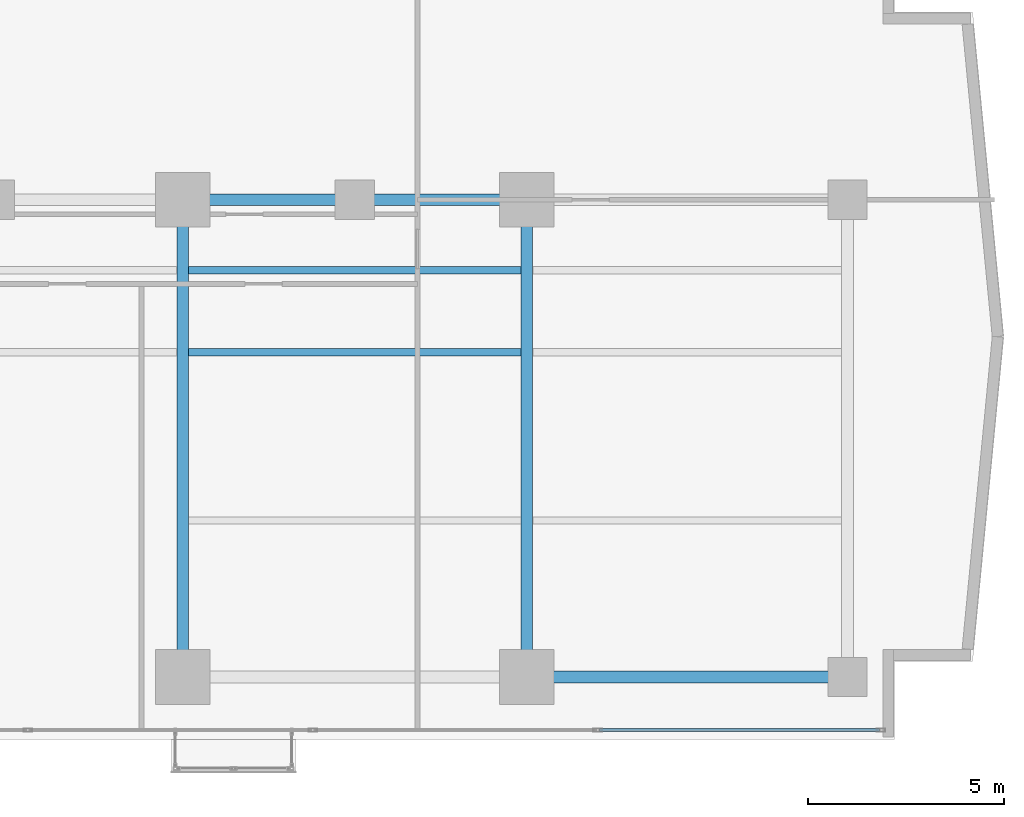
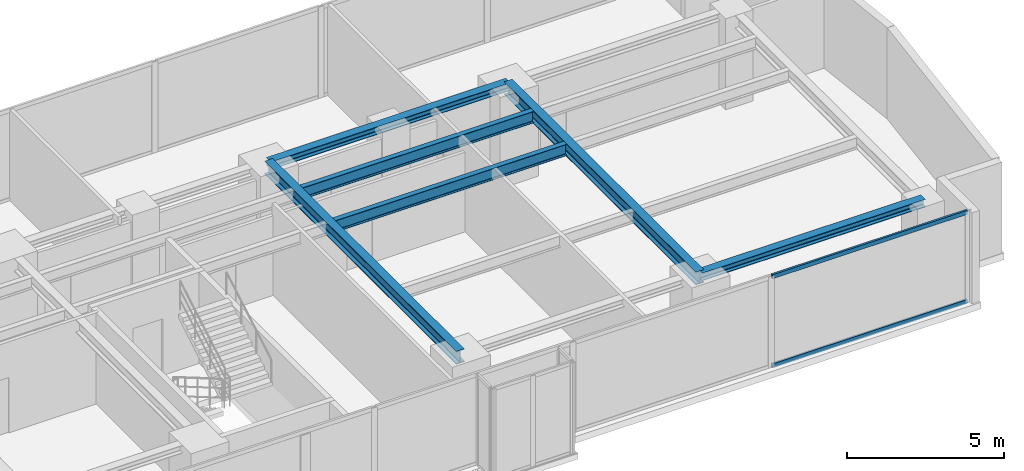
# One storey, part 12 of 28: 6 beams, 2 members, 1 element without a shape of its own.
"""IFC4 building model written with IfcOpenShell, lengths in metres."""

import ifcopenshell
import ifcopenshell.guid

model = None  # the IFC model being written
_history = None  # IfcOwnerHistory: only IFC2X3 demands one
_inside = {}  # id of a spatial element -> (the spatial element, [elements in it])
_under = {}  # id of a project, library or spatial element -> (it, [spatial elements below it])
_declared = {}  # id of a project -> (the project, [libraries it declares])
_typed = {}  # id of a type object -> (the type object, [elements of that type])
_made_of = {}  # id of a material, layer set ... -> (it, [elements and type objects made of it])


def new_model(schema):
    """Start an empty IFC model of exactly this schema.

    Asked for "IFC4X3", IfcOpenShell would pick the latest addendum, in which some entities
    have other attributes; the version numbers below select the first issue.
    IFC2X3 requires an IfcOwnerHistory on every rooted entity: one is made here for all.
    """
    global model, _history
    if schema == "IFC4X3":
        model = ifcopenshell.file(schema_version=(4, 3, 0, 0))
    else:
        model = ifcopenshell.file(schema=schema)
    _inside.clear()
    _under.clear()
    _declared.clear()
    _typed.clear()
    _made_of.clear()
    _history = None
    if model.schema == "IFC2X3":
        org = make("IfcOrganization", Name="unknown")
        user = make(
            "IfcPersonAndOrganization",
            ThePerson=make("IfcPerson", FamilyName="unknown"),
            TheOrganization=org,
        )
        app = make(
            "IfcApplication",
            ApplicationDeveloper=org,
            Version="unknown",
            ApplicationFullName="unknown",
            ApplicationIdentifier="unknown",
        )
        _history = make(
            "IfcOwnerHistory",
            OwningUser=user,
            OwningApplication=app,
            ChangeAction="ADDED",
            CreationDate=0,
        )
    return model


def make(cls, **values):
    """One entity of the class cls with the attributes given. An attribute that is None is left unset."""
    return model.create_entity(
        cls, **{name: value for name, value in values.items() if value is not None}
    )


def rooted(cls, **values):
    """An entity with a GlobalId (a new one), such as an element, a storey or a relation."""
    return make(cls, GlobalId=ifcopenshell.guid.new(), OwnerHistory=_history, **values)


def si_unit(unit_type, name, prefix=None):
    """IfcSIUnit, for example si_unit("LENGTHUNIT", "METRE", prefix="MILLI")."""
    return make("IfcSIUnit", UnitType=unit_type, Prefix=prefix, Name=name)


def assignment(units):
    """IfcUnitAssignment: the units of a project."""
    return None if units is None else make("IfcUnitAssignment", Units=units)


def point(xyz):
    """IfcCartesianPoint."""
    return None if xyz is None else make("IfcCartesianPoint", Coordinates=xyz)


def direction(xyz):
    """IfcDirection."""
    return None if xyz is None else make("IfcDirection", DirectionRatios=xyz)


def frame(location, z_axis=None, x_axis=None):
    """IfcAxis2Placement3D, a coordinate frame: its origin and axes. An axis left out is left unset."""
    return make(
        "IfcAxis2Placement3D",
        Location=point(location),
        Axis=direction(z_axis),
        RefDirection=direction(x_axis),
    )


def frame_2d(location, x_axis=None):
    """IfcAxis2Placement2D, a coordinate frame in the plane: its origin and x axis."""
    return make(
        "IfcAxis2Placement2D", Location=point(location), RefDirection=direction(x_axis)
    )


def origin():
    """The frame at (0, 0, 0) with its axes left unset."""
    return frame((0.0, 0.0, 0.0))


def origin_with_axes():
    """The frame at (0, 0, 0) with the z axis (0, 0, 1) and the x axis (1, 0, 0) written out."""
    return frame((0.0, 0.0, 0.0), z_axis=(0.0, 0.0, 1.0), x_axis=(1.0, 0.0, 0.0))


def origin_2d():
    """The frame at (0, 0) in the plane with its x axis left unset."""
    return frame_2d((0.0, 0.0))


def place(relative_to, where):
    """IfcLocalPlacement: puts the frame where relative to a parent placement (None: the world)."""
    return make(
        "IfcLocalPlacement", PlacementRelTo=relative_to, RelativePlacement=where
    )


def context(
    kind, dimensions, precision=None, world=None, true_north=None, identifier=None
):
    """IfcGeometricRepresentationContext, for example the 3D "Model" context."""
    return make(
        "IfcGeometricRepresentationContext",
        ContextIdentifier=identifier,
        ContextType=kind,
        CoordinateSpaceDimension=dimensions,
        Precision=precision,
        WorldCoordinateSystem=world,
        TrueNorth=true_north,
    )


def subcontext(parent, identifier, kind, view, scale=None):
    """IfcGeometricRepresentationSubContext, for example "Body" below "Model"."""
    return make(
        "IfcGeometricRepresentationSubContext",
        ContextIdentifier=identifier,
        ContextType=kind,
        ParentContext=parent,
        TargetScale=scale,
        TargetView=view,
    )


def project(units=None, contexts=None):
    """IfcProject with its units and contexts."""
    return rooted(
        "IfcProject",
        Name="project",
        RepresentationContexts=contexts,
        UnitsInContext=assignment(units),
    )


def spatial(cls, under=None, at=None, **own):
    """A site, building, storey or space (cls), placed at a placement, below another one or the project."""
    s = rooted(cls, ObjectPlacement=at, **own)
    if under is not None:
        _under.setdefault(under.id(), (under, []))[1].append(s)
    return s


def profile(cls, at=None, kind="AREA", **sizes):
    """A parametric profile (cls). Its sizes go by their IFC names, for example OverallWidth=200.0."""
    return make(cls, ProfileType=kind, Position=at, **sizes)


def hollow_rectangle(**sizes):
    """IfcRectangleHollowProfileDef."""
    return profile("IfcRectangleHollowProfileDef", **sizes)


def i_section(**sizes):
    """IfcIShapeProfileDef."""
    return profile("IfcIShapeProfileDef", **sizes)


def extrude(swept, where, along, depth):
    """IfcExtrudedAreaSolid: the profile swept, set in the frame where, extruded along a direction by depth."""
    return make(
        "IfcExtrudedAreaSolid",
        SweptArea=swept,
        Position=where,
        ExtrudedDirection=direction(along),
        Depth=depth,
    )


def shape(context_of_items, identifier, shape_type, items):
    """IfcShapeRepresentation: the items that make up one representation, for example the "Body"."""
    return make(
        "IfcShapeRepresentation",
        ContextOfItems=context_of_items,
        RepresentationIdentifier=identifier,
        RepresentationType=shape_type,
        Items=items,
    )


def source(mapping_origin, context_of_items, identifier, shape_type, items):
    """IfcRepresentationMap: a shape defined once, which mapped items show again and again."""
    return make(
        "IfcRepresentationMap",
        MappingOrigin=mapping_origin,
        MappedRepresentation=shape(context_of_items, identifier, shape_type, items),
    )


def transform(
    local_origin,
    x_axis=None,
    y_axis=None,
    z_axis=None,
    scale=None,
    scale2=None,
    scale3=None,
    uniform=True,
):
    """IfcCartesianTransformationOperator3D, or its non-uniform kind. x_axis, y_axis, z_axis: its Axis1, 2, 3."""
    if uniform:
        return make(
            "IfcCartesianTransformationOperator3D",
            Axis1=direction(x_axis),
            Axis2=direction(y_axis),
            LocalOrigin=point(local_origin),
            Scale=scale,
            Axis3=direction(z_axis),
        )
    return make(
        "IfcCartesianTransformationOperator3DnonUniform",
        Axis1=direction(x_axis),
        Axis2=direction(y_axis),
        LocalOrigin=point(local_origin),
        Scale=scale,
        Axis3=direction(z_axis),
        Scale2=scale2,
        Scale3=scale3,
    )


def mapped(mapping_source, mapping_target):
    """IfcMappedItem: shows the shape of a source again, moved by a transform."""
    return make(
        "IfcMappedItem", MappingSource=mapping_source, MappingTarget=mapping_target
    )


def material(Name=None, Category=None):
    """IfcMaterial."""
    return make("IfcMaterial", Name=Name, Category=Category)


def layer(
    of_material, thickness, ventilated=None, Name=None, Category=None, Priority=None
):
    """IfcMaterialLayer: one layer of a wall or slab, of a material (None: an air gap)."""
    return make(
        "IfcMaterialLayer",
        Material=of_material,
        LayerThickness=thickness,
        IsVentilated=ventilated,
        Name=Name,
        Category=Category,
        Priority=Priority,
    )


def layer_set(layers, Name=None):
    """IfcMaterialLayerSet."""
    return make("IfcMaterialLayerSet", MaterialLayers=layers, LayerSetName=Name)


def material_profile(
    of_material, cross_section, Name=None, Category=None, Priority=None
):
    """IfcMaterialProfile: a cross section and its material."""
    return make(
        "IfcMaterialProfile",
        Name=Name,
        Material=of_material,
        Profile=cross_section,
        Priority=Priority,
        Category=Category,
    )


def profile_set(profiles, Name=None, composite=None):
    """IfcMaterialProfileSet."""
    return make(
        "IfcMaterialProfileSet",
        Name=Name,
        MaterialProfiles=profiles,
        CompositeProfile=composite,
    )


def made_of(thing, what):
    """Note that an element or type object is made of a material, layer set ...; save() writes the relation."""
    if what is not None:
        _made_of.setdefault(what.id(), (what, []))[1].append(thing)
    return thing


def type_object(cls, material=None, **own):
    """A type object (cls), such as IfcWallType, which elements share."""
    return made_of(rooted(cls, **own), material)


def element(
    cls,
    number,
    at=None,
    inside=None,
    cuts=None,
    type_object=None,
    material=None,
    context=None,
    identifier="Body",
    shape_type=None,
    held_by="IfcProductDefinitionShape",
    body=None,
    shapes=None,
    **own,
):
    """One element of the class cls, such as IfcWall. Its Tag is "e" and its number.

    at: its placement. inside: the storey or other place that contains it. cuts: it is an
    opening in that element (IfcRelVoidsElement). A single representation is given by context,
    identifier, shape_type and body (its items); several are given by shapes. held_by: the class
    of the entity that holds the representations. save() writes the other relations.
    """
    e = rooted(cls, Tag="e%d" % number, ObjectPlacement=at, **own)
    if body is not None:
        shapes = [shape(context, identifier, shape_type, body)]
    if shapes is not None:
        e.Representation = make(held_by, Representations=shapes)
    if inside is not None:
        _inside.setdefault(inside.id(), (inside, []))[1].append(e)
    if cuts is not None:
        rooted(
            "IfcRelVoidsElement", RelatingBuildingElement=cuts, RelatedOpeningElement=e
        )
    if type_object is not None:
        _typed.setdefault(type_object.id(), (type_object, []))[1].append(e)
    return made_of(e, material)


def aggregate(whole, parts):
    """IfcRelAggregates: a whole, such as a stair, and the parts it consists of."""
    return rooted("IfcRelAggregates", RelatingObject=whole, RelatedObjects=parts)


def save(model, path):
    """Write the relations noted so far, then the file.

    IfcRelAggregates (storeys below a building ...), IfcRelContainedInSpatialStructure (elements
    in a storey), IfcRelDefinesByType, IfcRelAssociatesMaterial and IfcRelDeclares: one each for
    every whole, place, type object, material and project.
    """
    for whole, parts in _under.values():
        aggregate(whole, parts)
    for where, things in _inside.values():
        rooted(
            "IfcRelContainedInSpatialStructure",
            RelatedElements=things,
            RelatingStructure=where,
        )
    for kind, things in _typed.values():
        rooted("IfcRelDefinesByType", RelatedObjects=things, RelatingType=kind)
    for what, things in _made_of.values():
        rooted("IfcRelAssociatesMaterial", RelatedObjects=things, RelatingMaterial=what)
    for by, libraries in _declared.values():
        rooted("IfcRelDeclares", RelatingContext=by, RelatedDefinitions=libraries)
    model.write(path)


model = new_model("IFC4")

# Units and contexts
model_context = context("Model", 3, precision=1e-05, world=origin(), true_north=direction((0.0, 1.0)))
body_context = subcontext(model_context, "Body", "Model", "MODEL_VIEW")
ifc_project = project(units=[si_unit("LENGTHUNIT", "METRE"), si_unit("AREAUNIT", "SQUARE_METRE"), si_unit("VOLUMEUNIT", "CUBIC_METRE"), si_unit("PLANEANGLEUNIT", "RADIAN"), si_unit("MASSUNIT", "GRAM", prefix="KILO")], contexts=[model_context])

# Site, building, storey
site_placement = place(None, origin())
site = spatial("IfcSite", under=ifc_project, at=site_placement, CompositionType="ELEMENT")
building_placement = place(site_placement, origin())
building = spatial("IfcBuilding", under=site, at=building_placement, Name="Kolvaren Waterfront Exchange", CompositionType="ELEMENT")
storey_placement = place(building_placement, frame((0.0, 0.0, 133.5)))
storey = spatial("IfcBuildingStorey", under=building, at=storey_placement, Name="L34", CompositionType="ELEMENT", Elevation=133.5)

# Beams
ifc_material_1 = material(Name="Steel S355", Category="steel")
ifc_material_profile_1 = material_profile(ifc_material_1, i_section(OverallWidth=0.300048828125, OverallDepth=0.300048828125, WebThickness=0.010986328125, FlangeThickness=0.01904296875, FilletRadius=0.027099609375, at=origin_2d()), Name="HEB300")
ifc_profile_set_1 = profile_set([ifc_material_profile_1], Name="Steel S355")
beam_type_1 = type_object("IfcBeamType", Name="STR-BM-HEB300", PredefinedType="SPANDREL", material=ifc_profile_set_1)
beam_1_placement = place(storey_placement, frame((45.60009765625, 5.199951171875, 3.389892578125), z_axis=(1.0, 0.0, 0.0), x_axis=(0.0, 1.0, 0.0)))
element("IfcBeam", 1, at=beam_1_placement, inside=storey, type_object=beam_type_1, Name="L34 east-arm spandrel S4", PredefinedType="SPANDREL", context=body_context, shape_type="SweptSolid", body=[
    extrude(i_section(OverallWidth=0.300048828125, OverallDepth=0.300048828125, WebThickness=0.010986328125, FlangeThickness=0.01904296875, FilletRadius=0.027099609375, at=origin_2d()), origin(), (0.0, 0.0, 1.0), 8.199951171875),
])
beam_2_placement = place(storey_placement, frame((36.800048828125, 17.39990234375, 3.389892578125), z_axis=(1.0, 0.0, 0.0), x_axis=(0.0, 1.0, 0.0)))
element("IfcBeam", 2, at=beam_2_placement, inside=storey, type_object=beam_type_1, Name="L34 east-arm spandrel N3", PredefinedType="SPANDREL", context=body_context, shape_type="SweptSolid", body=[
    extrude(i_section(OverallWidth=0.300048828125, OverallDepth=0.300048828125, WebThickness=0.010986328125, FlangeThickness=0.01904296875, FilletRadius=0.027099609375, at=origin_2d()), origin(), (0.0, 0.0, 1.0), 8.800048828125),
])
ifc_material_profile_2 = material_profile(ifc_material_1, i_section(OverallWidth=0.300048828125, OverallDepth=0.5, WebThickness=0.014404296875, FlangeThickness=0.028076171875, FilletRadius=0.027099609375, at=origin_2d()), Name="HEB500")
ifc_profile_set_2 = profile_set([ifc_material_profile_2], Name="Steel S355")
beam_type_2 = type_object("IfcBeamType", Name="STR-BM-HEB500", PredefinedType="BEAM", material=ifc_profile_set_2)
for number, where, z_axis, x_axis, name in (
    (3, (36.800048828125, 5.199951171875, 3.2900390625), (0.0, 1.0, 0.0), (-1.0, 0.0, 0.0), "L34 east-arm transverse girder X36"),
    (4, (45.60009765625, 5.199951171875, 3.2900390625), (0.0, 1.0, 0.0), (-1.0, 0.0, 0.0), "L34 east-arm transverse girder X45"),
):
    element("IfcBeam", number, at=place(storey_placement, frame(where, z_axis=z_axis, x_axis=x_axis)), inside=storey, type_object=beam_type_2, Name=name, PredefinedType="BEAM", context=body_context, shape_type="SweptSolid", body=[
        extrude(i_section(OverallWidth=0.300048828125, OverallDepth=0.5, WebThickness=0.014404296875, FlangeThickness=0.028076171875, FilletRadius=0.027099609375, at=origin_2d()), origin(), (0.0, 0.0, 1.0), 12.199951171875),
    ])
ifc_material_profile_3 = material_profile(ifc_material_1, i_section(OverallWidth=0.18994140625, OverallDepth=0.449951171875, WebThickness=0.009521484375, FlangeThickness=0.0146484375, FilletRadius=0.02099609375, at=origin_2d()), Name="IPE450")
ifc_profile_set_3 = profile_set([ifc_material_profile_3], Name="Steel S355")
beam_type_3 = type_object("IfcBeamType", Name="STR-BM-IPE450", PredefinedType="JOIST", material=ifc_profile_set_3)
for number, where, z_axis, x_axis, name in (
    (5, (36.951904296875, 13.5, 3.31494140625), (1.0, 0.0, 0.0), (0.0, 1.0, 0.0), "L34 east-arm composite joist 3A"),
    (6, (36.951904296875, 15.60009765625, 3.31494140625), (1.0, 0.0, 0.0), (0.0, 1.0, 0.0), "L34 east-arm composite joist 3C"),
):
    element("IfcBeam", number, at=place(storey_placement, frame(where, z_axis=z_axis, x_axis=x_axis)), inside=storey, type_object=beam_type_3, Name=name, PredefinedType="JOIST", context=body_context, shape_type="SweptSolid", body=[
        extrude(i_section(OverallWidth=0.18994140625, OverallDepth=0.449951171875, WebThickness=0.009521484375, FlangeThickness=0.0146484375, FilletRadius=0.02099609375, at=origin_2d()), origin(), (0.0, 0.0, 1.0), 8.49609375),
    ])

# Curtain wall, members
ifc_material_2 = material(Name="Anodised bronze aluminium 6063-T6", Category="aluminium")
ifc_layer = layer(ifc_material_2, 0.219970703125, Name="Anodised bronze aluminium 6063-T6")
ifc_layer_set = layer_set([ifc_layer], Name="Anodised bronze aluminium 6063-T6")
curtain_wall_type = type_object("IfcCurtainWallType", Name="ARC-CW-SYS1", PredefinedType="USERDEFINED", material=ifc_layer_set)
curtain_wall_placement = place(storey_placement, origin())
curtain_wall = element("IfcCurtainWall", 7, at=curtain_wall_placement, inside=storey, type_object=curtain_wall_type, Name="L34 stick curtain wall CW1 (CW-L34-S)", ObjectType="STICK CURTAIN WALL", PredefinedType="USERDEFINED")
ifc_material_3 = material(Name="Anodised aluminium 6063-T6", Category="aluminium")
ifc_material_profile_4 = material_profile(ifc_material_3, hollow_rectangle(XDim=0.074951171875, YDim=0.159912109375, WallThickness=0.00439453125, at=origin_2d()), Name="ALU-TRN-160x75x4.5")
ifc_profile_set_4 = profile_set([ifc_material_profile_4], Name="Anodised aluminium 6063-T6")
member_type = type_object("IfcMemberType", Name="ARC-CWT-160", PredefinedType="USERDEFINED", material=ifc_profile_set_4)
shared_shape = source(origin_with_axes(), body_context, "Body", "SweptSolid", [
    extrude(hollow_rectangle(XDim=0.074951171875, YDim=0.159912109375, WallThickness=0.00439453125, at=origin_2d()), origin(), (0.0, 0.0, 1.0), 7.165771484375),
])
member_1_placement = place(storey_placement, frame((47.454345703125, 3.840087890625, 0.03759765625), z_axis=(1.0, 0.0, 0.0), x_axis=(0.0, 1.0, 0.0)))
member_1 = element("IfcMember", 8, at=member_1_placement, type_object=member_type, Name="CW1 transom 7.1", ObjectType="TRANSOM", PredefinedType="USERDEFINED", context=body_context, shape_type="MappedRepresentation", body=[
    mapped(shared_shape, transform((0.0, 0.0, 0.0), x_axis=(1.0, 0.0, 0.0), y_axis=(0.0, 1.0, 0.0), z_axis=(0.0, 0.0, 1.0), scale=1.0)),
])
member_2_placement = place(storey_placement, frame((47.454345703125, 3.840087890625, 3.50244140625), z_axis=(1.0, 0.0, 0.0), x_axis=(0.0, 1.0, 0.0)))
member_2 = element("IfcMember", 9, at=member_2_placement, type_object=member_type, Name="CW1 transom 7.2", ObjectType="TRANSOM", PredefinedType="USERDEFINED", context=body_context, shape_type="MappedRepresentation", body=[
    mapped(shared_shape, transform((0.0, 0.0, 0.0), x_axis=(1.0, 0.0, 0.0), y_axis=(0.0, 1.0, 0.0), z_axis=(0.0, 0.0, 1.0), scale=1.0)),
])
aggregate(curtain_wall, [member_1, member_2])

save(model, "model.ifc")
